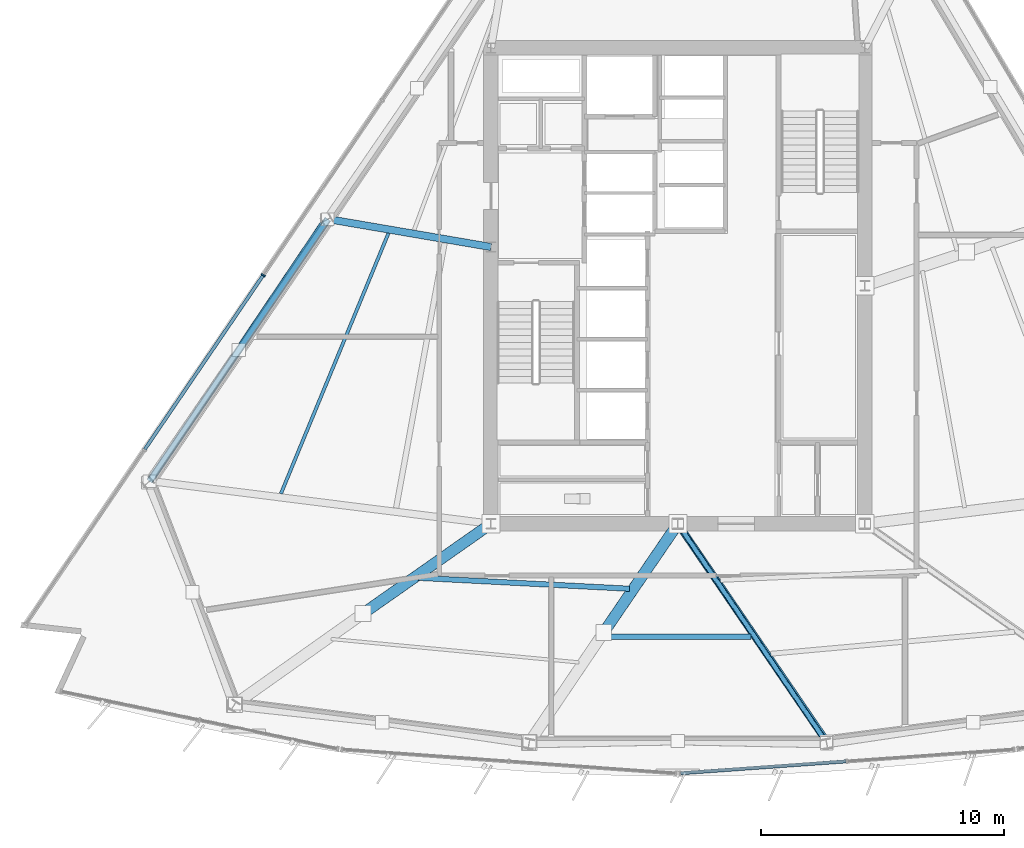
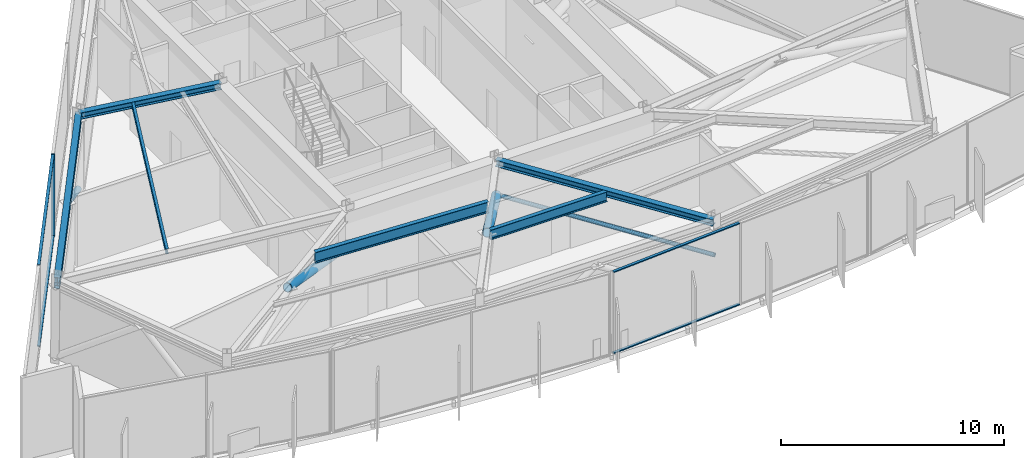
# One storey, part 3 of 14: 10 members, 6 beams, 2 elements without a shape of their own.
"""IFC4 building model written with IfcOpenShell, lengths in metres."""

from ifc_helpers import new_model, si_unit, direction, frame, origin, origin_2d, place, context, subcontext, project, spatial, rectangle, hollow_rectangle, hollow_circle, i_section, extrude, material, material_profile, profile_set, type_object, element, aggregate, save


model = new_model("IFC4")

# Units and contexts
model_context = context("Model", 3, precision=1e-05, world=origin(), true_north=direction((0.0, 1.0)))
body_context = subcontext(model_context, "Body", "Model", "MODEL_VIEW")
ifc_project = project(units=[si_unit("LENGTHUNIT", "METRE"), si_unit("AREAUNIT", "SQUARE_METRE"), si_unit("VOLUMEUNIT", "CUBIC_METRE"), si_unit("PLANEANGLEUNIT", "RADIAN"), si_unit("MASSUNIT", "GRAM", prefix="KILO")], contexts=[model_context])

# Site, building, storey
site_placement = place(None, origin())
site = spatial("IfcSite", under=ifc_project, at=site_placement, CompositionType="ELEMENT")
building_placement = place(site_placement, origin())
building = spatial("IfcBuilding", under=site, at=building_placement, Name="Savorim Split Tower", CompositionType="ELEMENT")
storey_placement = place(building_placement, frame((0.0, 0.0, 129.300048828125)))
storey = spatial("IfcBuildingStorey", under=building, at=storey_placement, Name="L34", CompositionType="ELEMENT", Elevation=129.300048828125)

# Beams
ifc_material_1 = material(Name="Steel S355", Category="steel")
ifc_material_profile_1 = material_profile(ifc_material_1, i_section(OverallWidth=0.135009765625, OverallDepth=0.27001953125, WebThickness=0.006591796875, FlangeThickness=0.01025390625, FilletRadius=0.014892578125, at=origin_2d()), Name="IPE 270")
ifc_profile_set_1 = profile_set([ifc_material_profile_1], Name="Steel S355")
beam_type_1 = type_object("IfcBeamType", Name="BM-JST-IPE270", PredefinedType="JOIST", material=ifc_profile_set_1)
beam_1_placement = place(storey_placement, frame((-11.922119140625, 2.56494140625, 4.364990234375), z_axis=(-0.381599533002, -0.924327753783, 0.0), x_axis=(0.924327753783, -0.381599533002, 0.0)))
element("IfcBeam", 1, at=beam_1_placement, inside=storey, type_object=beam_type_1, Name="L34 Secondary Floor Joist JS-10", PredefinedType="JOIST", context=body_context, shape_type="SweptSolid", body=[
    extrude(i_section(OverallWidth=0.135009765625, OverallDepth=0.27001953125, WebThickness=0.006591796875, FlangeThickness=0.01025390625, FilletRadius=0.014892578125, at=origin_2d()), origin(), (0.0, 0.0, 1.0), 11.601806640625),
])
ifc_material_profile_2 = material_profile(ifc_material_1, i_section(OverallWidth=0.2099609375, OverallDepth=0.550048828125, WebThickness=0.010986328125, FlangeThickness=0.01708984375, FilletRadius=0.02392578125, at=origin_2d()), Name="IPE 550")
ifc_profile_set_2 = profile_set([ifc_material_profile_2], Name="Steel S355")
beam_type_2 = type_object("IfcBeamType", Name="BM-JST-IPE550", PredefinedType="JOIST", material=ifc_profile_set_2)
beam_2_placement = place(storey_placement, frame((-3.017333984375, -14.05322265625, 4.224853515625), z_axis=(1.0, 0.0, 0.0), x_axis=(0.0, 1.0, 0.0)))
element("IfcBeam", 2, at=beam_2_placement, inside=storey, type_object=beam_type_2, Name="L34 Secondary Floor Joist JS-03", PredefinedType="JOIST", context=body_context, shape_type="SweptSolid", body=[
    extrude(i_section(OverallWidth=0.2099609375, OverallDepth=0.550048828125, WebThickness=0.010986328125, FlangeThickness=0.01708984375, FilletRadius=0.02392578125, at=origin_2d()), origin(), (0.0, 0.0, 1.0), 6.03466796875),
])
ifc_material_profile_3 = material_profile(ifc_material_1, i_section(OverallWidth=0.219970703125, OverallDepth=0.60009765625, WebThickness=0.011962890625, FlangeThickness=0.01904296875, FilletRadius=0.02392578125, at=origin_2d()), Name="IPE 600")
ifc_profile_set_3 = profile_set([ifc_material_profile_3], Name="Steel S355")
beam_type_3 = type_object("IfcBeamType", Name="BM-JST-IPE600", PredefinedType="JOIST", material=ifc_profile_set_3)
beam_3_placement = place(storey_placement, frame((-10.699462890625, -11.6259765625, 4.199951171875), z_axis=(0.998664387111, -0.051666642202, 0.0), x_axis=(0.051666642202, 0.998664387111, 0.0)))
element("IfcBeam", 3, at=beam_3_placement, inside=storey, type_object=beam_type_3, Name="L34 Secondary Floor Joist JS-02", PredefinedType="JOIST", context=body_context, shape_type="SweptSolid", body=[
    extrude(i_section(OverallWidth=0.219970703125, OverallDepth=0.60009765625, WebThickness=0.011962890625, FlangeThickness=0.01904296875, FilletRadius=0.02392578125, at=origin_2d()), origin(), (0.0, 0.0, 1.0), 8.71826171875),
])
ifc_material_profile_4 = material_profile(ifc_material_1, i_section(OverallWidth=0.300048828125, OverallDepth=0.360107421875, WebThickness=0.012451171875, FlangeThickness=0.0224609375, FilletRadius=0.027099609375, at=origin_2d()), Name="HEB 360")
ifc_profile_set_4 = profile_set([ifc_material_profile_4], Name="Steel S355")
beam_type_4 = type_object("IfcBeamType", Name="BM-PRI-HEB360", PredefinedType="BEAM", material=ifc_profile_set_4)
beam_4_placement = place(storey_placement, frame((6.110107421875, -18.348388671875, 4.320068359375), z_axis=(-0.5638953113, 0.825846279821, 0.0), x_axis=(-0.825846279821, -0.5638953113, 0.0)))
element("IfcBeam", 4, at=beam_4_placement, inside=storey, type_object=beam_type_4, Name="L34 Primary Floor Girder RG-03", PredefinedType="BEAM", context=body_context, shape_type="SweptSolid", body=[
    extrude(i_section(OverallWidth=0.300048828125, OverallDepth=0.360107421875, WebThickness=0.012451171875, FlangeThickness=0.0224609375, FilletRadius=0.027099609375, at=origin_2d()), origin(), (0.0, 0.0, 1.0), 10.83544921875),
])
beam_5_placement = place(storey_placement, frame((-14.411376953125, 3.149658203125, 4.320068359375), z_axis=(0.985643572076, -0.168839417276, 0.0), x_axis=(0.168839417276, 0.985643572076, 0.0)))
element("IfcBeam", 5, at=beam_5_placement, inside=storey, type_object=beam_type_4, Name="L34 Primary Floor Girder RG-09", PredefinedType="BEAM", context=body_context, shape_type="SweptSolid", body=[
    extrude(i_section(OverallWidth=0.300048828125, OverallDepth=0.360107421875, WebThickness=0.012451171875, FlangeThickness=0.0224609375, FilletRadius=0.027099609375, at=origin_2d()), origin(), (0.0, 0.0, 1.0), 6.80908203125),
])
ifc_material_profile_5 = material_profile(ifc_material_1, i_section(OverallWidth=0.300048828125, OverallDepth=0.43994140625, WebThickness=0.011474609375, FlangeThickness=0.02099609375, FilletRadius=0.027099609375, at=origin_2d()), Name="HEA 450")
ifc_profile_set_5 = profile_set([ifc_material_profile_5], Name="Steel S355")
beam_type_5 = type_object("IfcBeamType", Name="BM-SPN-HEA450", PredefinedType="SPANDREL", material=ifc_profile_set_5)
beam_6_placement = place(storey_placement, frame((-14.411376953125, 3.149658203125, 4.280029296875), z_axis=(-0.562466643441, -0.826819977393, 0.0), x_axis=(0.826819977393, -0.562466643441, 0.0)))
element("IfcBeam", 6, at=beam_6_placement, inside=storey, type_object=beam_type_5, Name="L34 Perimeter Spandrel Beam 9", PredefinedType="SPANDREL", context=body_context, shape_type="SweptSolid", body=[
    extrude(i_section(OverallWidth=0.300048828125, OverallDepth=0.43994140625, WebThickness=0.011474609375, FlangeThickness=0.02099609375, FilletRadius=0.027099609375, at=origin_2d()), origin(), (0.0, 0.0, 1.0), 13.0458984375),
])

# Curtain wall, member
ifc_material_2 = material(Name="Dark Ceramic-Fritted Insulated Glass", Category="glass")
curtain_wall_type = type_object("IfcCurtainWallType", Name="CW-REFUGE-LVR", PredefinedType="NOTDEFINED", material=ifc_material_2)
curtain_wall_1_placement = place(storey_placement, origin())
curtain_wall_1 = element("IfcCurtainWall", 7, at=curtain_wall_1_placement, inside=storey, type_object=curtain_wall_type, Name="L34 Curtain Wall CW-L34-WEST", PredefinedType="NOTDEFINED")
ifc_material_3 = material(Name="Charcoal Anodised Aluminium", Category="aluminium")
ifc_material_profile_6 = material_profile(ifc_material_3, rectangle(XDim=0.179931640625, YDim=0.06494140625, at=origin_2d()), Name="ALU-M 180x65")
ifc_profile_set_6 = profile_set([ifc_material_profile_6], Name="Charcoal Anodised Aluminium")
member_type_1 = type_object("IfcMemberType", Name="CWM-180x65", PredefinedType="MULLION", material=ifc_profile_set_6)
member_1_placement = place(storey_placement, frame((-17.07763671875, 0.83984375, 0.0), z_axis=(0.0, 0.0, 1.0), x_axis=(0.826819743155, -0.562466987768, 0.0)))
member_1 = element("IfcMember", 8, at=member_1_placement, type_object=member_type_1, Name="CW-06 mullion 4", PredefinedType="MULLION", context=body_context, shape_type="SweptSolid", body=[
    extrude(rectangle(XDim=0.179931640625, YDim=0.06494140625, at=origin_2d()), origin(), (0.0, 0.0, 1.0), 4.5),
])

# Curtain wall, members
curtain_wall_2_placement = place(storey_placement, origin())
curtain_wall_2 = element("IfcCurtainWall", 9, at=curtain_wall_2_placement, inside=storey, type_object=curtain_wall_type, Name="L34 Curtain Wall CW-L34-SF3", PredefinedType="NOTDEFINED")
ifc_material_profile_7 = material_profile(ifc_material_3, rectangle(XDim=0.139892578125, YDim=0.054931640625, at=origin_2d()), Name="ALU-T 140x55")
ifc_profile_set_7 = profile_set([ifc_material_profile_7], Name="Charcoal Anodised Aluminium")
member_type_2 = type_object("IfcMemberType", Name="CWT-140x55", PredefinedType="USERDEFINED", material=ifc_profile_set_7)
member_2_placement = place(storey_placement, frame((0.1162109375, -19.6728515625, 0.02734375), z_axis=(0.99743669961, 0.071554386807, 0.0), x_axis=(-0.071554386807, 0.99743669961, 0.0)))
member_2 = element("IfcMember", 10, at=member_2_placement, type_object=member_type_2, Name="CW-06 transom 1.1", ObjectType="TRANSOM", PredefinedType="USERDEFINED", context=body_context, shape_type="SweptSolid", body=[
    extrude(rectangle(XDim=0.139892578125, YDim=0.054931640625, at=origin_2d()), origin(), (0.0, 0.0, 1.0), 6.830810546875),
])
member_3_placement = place(storey_placement, frame((0.1162109375, -19.6728515625, 4.472412109375), z_axis=(0.99743669961, 0.071554386807, 0.0), x_axis=(-0.071554386807, 0.99743669961, 0.0)))
member_3 = element("IfcMember", 11, at=member_3_placement, type_object=member_type_2, Name="CW-06 transom 1.2", ObjectType="TRANSOM", PredefinedType="USERDEFINED", context=body_context, shape_type="SweptSolid", body=[
    extrude(rectangle(XDim=0.139892578125, YDim=0.054931640625, at=origin_2d()), origin(), (0.0, 0.0, 1.0), 6.830810546875),
])
aggregate(curtain_wall_2, [member_2, member_3])

# Member
member_4_placement = place(storey_placement, frame((-17.095947265625, 0.81298828125, 0.02734375), z_axis=(-0.562471477065, -0.826816689169, 0.0), x_axis=(0.826816689169, -0.562471477065, 0.0)))
member_4 = element("IfcMember", 12, at=member_4_placement, type_object=member_type_2, Name="CW-06 transom 4.1", ObjectType="TRANSOM", PredefinedType="USERDEFINED", context=body_context, shape_type="SweptSolid", body=[
    extrude(rectangle(XDim=0.139892578125, YDim=0.054931640625, at=origin_2d()), origin(), (0.0, 0.0, 1.0), 8.6435546875),
])

member_5_placement = place(storey_placement, frame((-17.095947265625, 0.81298828125, 4.472412109375), z_axis=(-0.562471477065, -0.826816689169, 0.0), x_axis=(0.826816689169, -0.562471477065, 0.0)))
member_5 = element("IfcMember", 13, at=member_5_placement, type_object=member_type_2, Name="CW-06 transom 4.2", ObjectType="TRANSOM", PredefinedType="USERDEFINED", context=body_context, shape_type="SweptSolid", body=[
    extrude(rectangle(XDim=0.139892578125, YDim=0.054931640625, at=origin_2d()), origin(), (0.0, 0.0, 1.0), 8.6435546875),
])

aggregate(curtain_wall_1, [member_1, member_4, member_5])

# Members
ifc_material_profile_8 = material_profile(ifc_material_1, hollow_circle(Radius=0.109619140625, WallThickness=0.012451171875, at=origin_2d()), Name="CHS 219.1x12.5")
ifc_profile_set_8 = profile_set([ifc_material_profile_8], Name="Steel S355")
member_type_3 = type_object("IfcMemberType", Name="MBR-BAY-CHS219", PredefinedType="BRACE", material=ifc_profile_set_8)
member_6_placement = place(storey_placement, frame((0.0, -9.39990234375, 2.52001953125), z_axis=(0.562049428352, -0.827103645312, 0.0), x_axis=(0.827103645312, 0.562049428352, 0.0)))
element("IfcMember", 14, at=member_6_placement, inside=storey, type_object=member_type_3, Name="L34 Secondary Belt Tie Strut 1", PredefinedType="BRACE", context=body_context, shape_type="SweptSolid", body=[
    extrude(hollow_circle(Radius=0.109619140625, WallThickness=0.012451171875, at=origin_2d()), origin(), (0.0, 0.0, 1.0), 10.89208984375),
])
ifc_material_4 = material(Name="Steel S460", Category="steel")
ifc_material_profile_9 = material_profile(ifc_material_4, hollow_circle(Radius=0.161865234375, WallThickness=0.01611328125, at=origin_2d()), Name="CHS 323.9x16")
ifc_profile_set_9 = profile_set([ifc_material_profile_9], Name="Steel S460")
member_type_4 = type_object("IfcMemberType", Name="MBR-BLT-CHS324", PredefinedType="BRACE", material=ifc_profile_set_9)
member_7_placement = place(storey_placement, frame((-14.468994140625, 3.1171875, 0.280029296875), z_axis=(-0.481618958783, -0.714988107427, 0.506789092995), x_axis=(0.829385136633, -0.558677272791, 0.0)))
element("IfcMember", 15, at=member_7_placement, inside=storey, type_object=member_type_4, Name="L34 Perimeter Belt Truss Brace 9A", PredefinedType="BRACE", context=body_context, shape_type="SweptSolid", body=[
    extrude(hollow_circle(Radius=0.161865234375, WallThickness=0.01611328125, at=origin_2d()), origin(), (0.0, 0.0, 1.0), 7.497802734375),
])
ifc_material_profile_10 = material_profile(ifc_material_4, hollow_rectangle(XDim=0.25, YDim=0.35009765625, WallThickness=0.01611328125, InnerFilletRadius=0.01611328125, OuterFilletRadius=0.031982421875, at=origin_2d()), Name="RHS 350x250x16")
ifc_profile_set_10 = profile_set([ifc_material_profile_10], Name="Steel S460")
member_type_5 = type_object("IfcMemberType", Name="MBR-CHD-RHS350", PredefinedType="CHORD", material=ifc_profile_set_10)
member_8_placement = place(storey_placement, frame((-14.42041015625, 3.14453125, 4.079833984375), z_axis=(-0.56246194495, -0.826823173649, 0.0), x_axis=(0.826823173649, -0.56246194495, 0.0)))
element("IfcMember", 16, at=member_8_placement, inside=storey, type_object=member_type_5, Name="L34 Perimeter Belt Truss Chord 9", PredefinedType="CHORD", context=body_context, shape_type="SweptSolid", body=[
    extrude(hollow_rectangle(XDim=0.25, YDim=0.35009765625, WallThickness=0.01611328125, InnerFilletRadius=0.01611328125, OuterFilletRadius=0.031982421875, at=origin_2d()), origin(), (0.0, 0.0, 1.0), 13.053955078125),
])
ifc_material_profile_11 = material_profile(ifc_material_4, hollow_circle(Radius=0.228515625, WallThickness=0.02490234375, at=origin_2d()), Name="CHS 457x25")
ifc_profile_set_11 = profile_set([ifc_material_profile_11], Name="Steel S460")
member_type_6 = type_object("IfcMemberType", Name="MBR-OUT-CHS457", PredefinedType="BRACE", material=ifc_profile_set_11)
member_9_placement = place(storey_placement, frame((-7.699951171875, -9.39990234375, 2.47998046875), z_axis=(-0.790691429791, -0.555064137202, 0.258284468071), x_axis=(0.574559571307, -0.818462765811, 0.0)))
element("IfcMember", 17, at=member_9_placement, inside=storey, type_object=member_type_6, Name="L34 Outrigger Truss Diagonal S1-A", PredefinedType="BRACE", context=body_context, shape_type="SweptSolid", body=[
    extrude(hollow_circle(Radius=0.228515625, WallThickness=0.02490234375, at=origin_2d()), origin(), (0.0, 0.0, 1.0), 6.6591796875),
])
member_10_placement = place(storey_placement, frame((0.0, -9.39990234375, 2.47998046875), z_axis=(-0.537467218578, -0.787131350079, 0.302577637437), x_axis=(0.82584295172, -0.5639001854, 0.0)))
element("IfcMember", 18, at=member_10_placement, inside=storey, type_object=member_type_6, Name="L34 Outrigger Truss Diagonal S2-A", PredefinedType="BRACE", context=body_context, shape_type="SweptSolid", body=[
    extrude(hollow_circle(Radius=0.228515625, WallThickness=0.02490234375, at=origin_2d()), origin(), (0.0, 0.0, 1.0), 5.684326171875),
])

save(model, "model.ifc")
